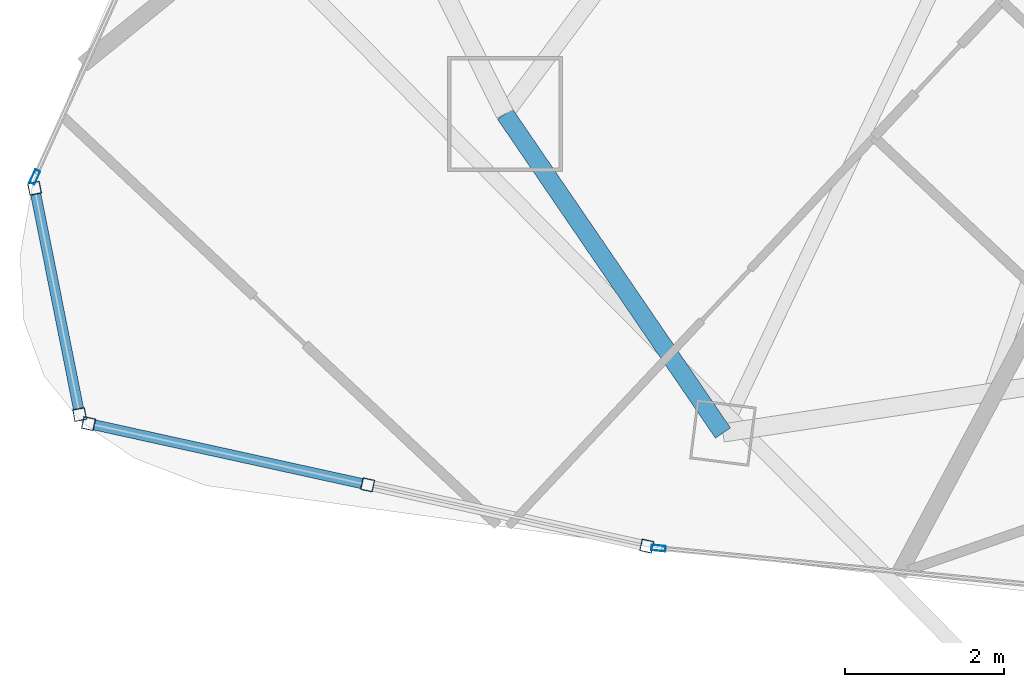
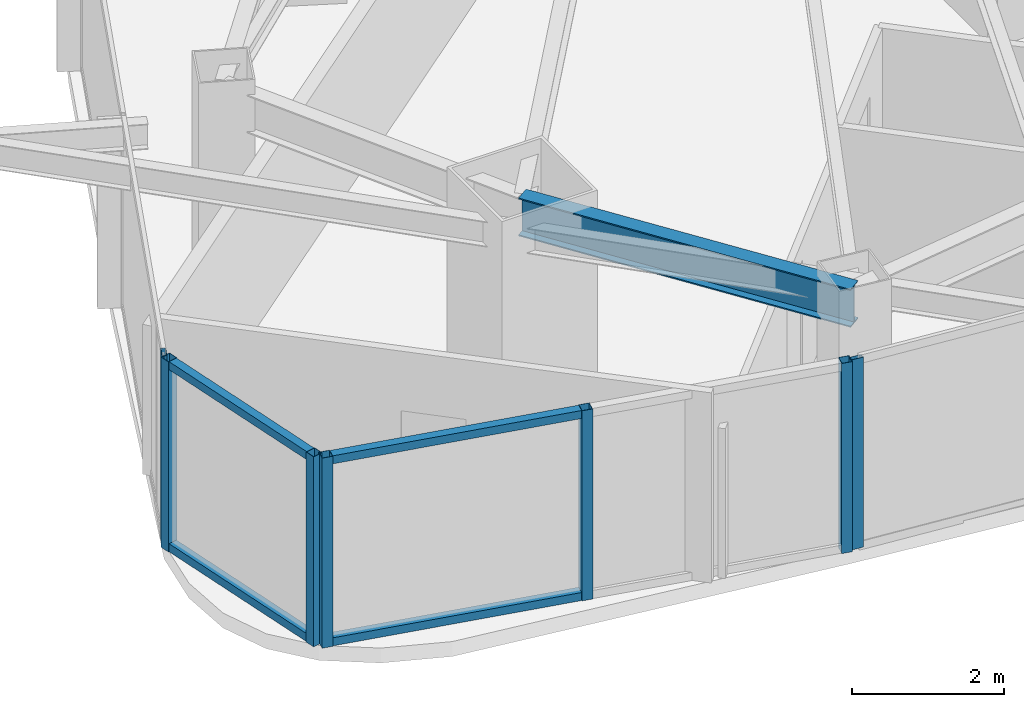
# One storey, part 2 of 29: 11 members, 1 beam, 4 elements without a shape of their own.
"""IFC4 building model written with IfcOpenShell, lengths in metres."""

from ifc_helpers import new_model, si_unit, direction, frame, origin, origin_2d, place, context, subcontext, project, spatial, hollow_rectangle, i_section, extrude, material, layer, layer_set, material_profile, profile_set, type_object, element, aggregate, save


model = new_model("IFC4")

# Units and contexts
model_context = context("Model", 3, precision=1e-05, world=origin(), true_north=direction((0.0, 1.0)))
body_context = subcontext(model_context, "Body", "Model", "MODEL_VIEW")
ifc_project = project(units=[si_unit("LENGTHUNIT", "METRE"), si_unit("AREAUNIT", "SQUARE_METRE"), si_unit("VOLUMEUNIT", "CUBIC_METRE"), si_unit("PLANEANGLEUNIT", "RADIAN"), si_unit("MASSUNIT", "GRAM", prefix="KILO")], contexts=[model_context])

# Site, building, storey
site_placement = place(None, origin())
site = spatial("IfcSite", under=ifc_project, at=site_placement, CompositionType="ELEMENT")
building_placement = place(site_placement, origin())
building = spatial("IfcBuilding", under=site, at=building_placement, Name="Orvanel Arch Residences", CompositionType="ELEMENT")
storey_placement = place(building_placement, frame((0.0, 0.0, 160.550048828125)))
storey = spatial("IfcBuildingStorey", under=building, at=storey_placement, Name="L45", CompositionType="ELEMENT", Elevation=160.550048828125)

# Curtain wall, members
ifc_material_1 = material(Name="Bronze-anodised aluminium AA6063-T6", Category="aluminium")
ifc_layer_1 = layer(ifc_material_1, 0.18994140625)
ifc_layer_set_1 = layer_set([ifc_layer_1], Name="Bronze-anodised aluminium AA6063-T6")
curtain_wall_type_1 = type_object("IfcCurtainWallType", Name="CW5-CRN-SYS", PredefinedType="NOTDEFINED", material=ifc_layer_set_1)
curtain_wall_1_placement = place(storey_placement, origin())
curtain_wall_1 = element("IfcCurtainWall", 1, at=curtain_wall_1_placement, inside=storey, type_object=curtain_wall_type_1, Name="L45 CW5-CRN-SYS Unitised Curtain Wall", PredefinedType="NOTDEFINED")
ifc_material_profile_1 = material_profile(ifc_material_1, hollow_rectangle(XDim=0.14990234375, YDim=0.14990234375, WallThickness=0.0048828125, at=origin_2d()), Name="ALU150x150x5")
ifc_profile_set_1 = profile_set([ifc_material_profile_1], Name="Bronze-anodised aluminium AA6063-T6")
member_type_1 = type_object("IfcMemberType", Name="MUL-150x150", PredefinedType="MULLION", material=ifc_profile_set_1)
member_1_placement = place(storey_placement, frame((8.28271484375, 9.41650390625, 0.0), z_axis=(0.0, 0.0, 1.0), x_axis=(0.980744173157, 0.195296868429, 0.0)))
member_1 = element("IfcMember", 2, at=member_1_placement, type_object=member_type_1, Name="CW-S5 mullion 1", PredefinedType="MULLION", context=body_context, shape_type="SweptSolid", body=[
    extrude(hollow_rectangle(XDim=0.14990234375, YDim=0.14990234375, WallThickness=0.0048828125, at=origin_2d()), origin(), (0.0, 0.0, 1.0), 3.06005859375),
])
member_2_placement = place(storey_placement, frame((8.849365234375, 6.570556640625, 0.0), z_axis=(0.0, 0.0, 1.0), x_axis=(0.980744173157, 0.195296868429, 0.0)))
member_2 = element("IfcMember", 3, at=member_2_placement, type_object=member_type_1, Name="CW-S5 mullion 2", PredefinedType="MULLION", context=body_context, shape_type="SweptSolid", body=[
    extrude(hollow_rectangle(XDim=0.14990234375, YDim=0.14990234375, WallThickness=0.0048828125, at=origin_2d()), origin(), (0.0, 0.0, 1.0), 3.06005859375),
])

curtain_wall_2_placement = place(storey_placement, origin())
curtain_wall_2 = element("IfcCurtainWall", 4, at=curtain_wall_2_placement, inside=storey, type_object=curtain_wall_type_1, Name="L45 CW5-CRN-SYS Unitised Curtain Wall", PredefinedType="NOTDEFINED")
member_3_placement = place(storey_placement, frame((8.961181640625, 6.45703125, 0.0), z_axis=(0.0, 0.0, 1.0), x_axis=(0.214347049523, 0.976757565807, 0.0)))
member_3 = element("IfcMember", 5, at=member_3_placement, type_object=member_type_1, Name="CW-S5 mullion 1", PredefinedType="MULLION", context=body_context, shape_type="SweptSolid", body=[
    extrude(hollow_rectangle(XDim=0.14990234375, YDim=0.14990234375, WallThickness=0.0048828125, at=origin_2d()), origin(), (0.0, 0.0, 1.0), 3.06005859375),
])
member_4_placement = place(storey_placement, frame((12.471923828125, 5.6865234375, 0.0), z_axis=(0.0, 0.0, 1.0), x_axis=(0.214347049523, 0.976757565807, 0.0)))
member_4 = element("IfcMember", 6, at=member_4_placement, type_object=member_type_1, Name="CW-S5 mullion 2", PredefinedType="MULLION", context=body_context, shape_type="SweptSolid", body=[
    extrude(hollow_rectangle(XDim=0.14990234375, YDim=0.14990234375, WallThickness=0.0048828125, at=origin_2d()), origin(), (0.0, 0.0, 1.0), 3.06005859375),
])
member_5_placement = place(storey_placement, frame((15.982666015625, 4.916015625, 0.0), z_axis=(0.0, 0.0, 1.0), x_axis=(0.214347049523, 0.976757565807, 0.0)))
member_5 = element("IfcMember", 7, at=member_5_placement, type_object=member_type_1, Name="CW-S5 mullion 3", PredefinedType="MULLION", context=body_context, shape_type="SweptSolid", body=[
    extrude(hollow_rectangle(XDim=0.14990234375, YDim=0.14990234375, WallThickness=0.0048828125, at=origin_2d()), origin(), (0.0, 0.0, 1.0), 3.06005859375),
])

# Curtain wall, member
ifc_layer_2 = layer(ifc_material_1, 0.179931640625)
ifc_layer_set_2 = layer_set([ifc_layer_2], Name="Bronze-anodised aluminium AA6063-T6")
curtain_wall_type_2 = type_object("IfcCurtainWallType", Name="CW3-MID-SYS", PredefinedType="NOTDEFINED", material=ifc_layer_set_2)
curtain_wall_3_placement = place(storey_placement, origin())
curtain_wall_3 = element("IfcCurtainWall", 8, at=curtain_wall_3_placement, inside=storey, type_object=curtain_wall_type_2, Name="L45 CW3-MID-SYS Unitised Curtain Wall", PredefinedType="NOTDEFINED")
ifc_material_profile_2 = material_profile(ifc_material_1, hollow_rectangle(XDim=0.070068359375, YDim=0.179931640625, WallThickness=0.00439453125, at=origin_2d()), Name="ALU180x70x4.5")
ifc_profile_set_2 = profile_set([ifc_material_profile_2], Name="Bronze-anodised aluminium AA6063-T6")
member_type_2 = type_object("IfcMemberType", Name="MUL-180x70", PredefinedType="MULLION", material=ifc_profile_set_2)
member_6_placement = place(storey_placement, frame((8.286376953125, 9.559814453125, 0.0), z_axis=(0.0, 0.0, 1.0), x_axis=(0.910745569556, -0.412967925551, 0.0)))
member_6 = element("IfcMember", 9, at=member_6_placement, type_object=member_type_2, Name="CW-S3 mullion 4", PredefinedType="MULLION", context=body_context, shape_type="SweptSolid", body=[
    extrude(hollow_rectangle(XDim=0.070068359375, YDim=0.179931640625, WallThickness=0.00439453125, at=origin_2d()), origin(), (0.0, 0.0, 1.0), 3.06005859375),
])
aggregate(curtain_wall_3, [member_6])

curtain_wall_4_placement = place(storey_placement, origin())
curtain_wall_4 = element("IfcCurtainWall", 10, at=curtain_wall_4_placement, inside=storey, type_object=curtain_wall_type_2, Name="L45 CW3-MID-SYS Unitised Curtain Wall", PredefinedType="NOTDEFINED")
member_7_placement = place(storey_placement, frame((16.130859375, 4.890625, 0.0), z_axis=(0.0, 0.0, 1.0), x_axis=(0.097286031613, 0.995256463457, 0.0)))
member_7 = element("IfcMember", 11, at=member_7_placement, type_object=member_type_2, Name="CW-S3 mullion 1", PredefinedType="MULLION", context=body_context, shape_type="SweptSolid", body=[
    extrude(hollow_rectangle(XDim=0.070068359375, YDim=0.179931640625, WallThickness=0.00439453125, at=origin_2d()), origin(), (0.0, 0.0, 1.0), 3.06005859375),
])
aggregate(curtain_wall_4, [member_7])

# Beam
ifc_material_2 = material(Name="Structural steel AS/NZS 3679.1 Grade 300 (300 MPa)", Category="steel")
ifc_material_profile_3 = material_profile(ifc_material_2, i_section(OverallWidth=0.22900390625, OverallDepth=0.612060546875, WebThickness=0.011962890625, FlangeThickness=0.01953125, at=origin_2d()), Name="610UB125")
ifc_profile_set_3 = profile_set([ifc_material_profile_3], Name="Structural steel AS/NZS 3679.1 Grade 300 (300 MPa)")
beam_type = type_object("IfcBeamType", Name="SP-610UB", PredefinedType="SPANDREL", material=ifc_profile_set_3)
beam_placement = place(storey_placement, frame((14.198974609375, 10.35107421875, 2.75390625), z_axis=(0.564251579852, -0.825602903722, 0.0), x_axis=(0.825602903722, 0.564251579852, 0.0)))
element("IfcBeam", 12, at=beam_placement, inside=storey, type_object=beam_type, Name="L45 Perimeter Spandrel Beam 03", PredefinedType="SPANDREL", context=body_context, shape_type="SweptSolid", body=[
    extrude(i_section(OverallWidth=0.22900390625, OverallDepth=0.612060546875, WebThickness=0.011962890625, FlangeThickness=0.01953125, at=origin_2d()), origin(), (0.0, 0.0, 1.0), 4.859375),
])

# Member
ifc_material_profile_4 = material_profile(ifc_material_1, hollow_rectangle(XDim=0.1298828125, YDim=0.1298828125, WallThickness=0.00439453125, at=origin_2d()), Name="ALU130x130x4.5")
ifc_profile_set_4 = profile_set([ifc_material_profile_4], Name="Bronze-anodised aluminium AA6063-T6")
member_type_3 = type_object("IfcMemberType", Name="TRN-130x130", PredefinedType="USERDEFINED", material=ifc_profile_set_4)
member_8_placement = place(storey_placement, frame((8.29736328125, 9.3427734375, 0.06494140625), z_axis=(0.19528001723, -0.980747528608, 0.0), x_axis=(0.980747528608, 0.19528001723, 0.0)))
member_8 = element("IfcMember", 13, at=member_8_placement, type_object=member_type_3, Name="CW-S5 transom 1.1", ObjectType="TRANSOM", PredefinedType="USERDEFINED", context=body_context, shape_type="SweptSolid", body=[
    extrude(hollow_rectangle(XDim=0.1298828125, YDim=0.1298828125, WallThickness=0.00439453125, at=origin_2d()), origin(), (0.0, 0.0, 1.0), 2.751708984375),
])

member_9_placement = place(storey_placement, frame((8.29736328125, 9.3427734375, 2.994873046875), z_axis=(0.19528001723, -0.980747528608, 0.0), x_axis=(0.980747528608, 0.19528001723, 0.0)))
member_9 = element("IfcMember", 14, at=member_9_placement, type_object=member_type_3, Name="CW-S5 transom 1.2", ObjectType="TRANSOM", PredefinedType="USERDEFINED", context=body_context, shape_type="SweptSolid", body=[
    extrude(hollow_rectangle(XDim=0.1298828125, YDim=0.1298828125, WallThickness=0.00439453125, at=origin_2d()), origin(), (0.0, 0.0, 1.0), 2.751708984375),
])

aggregate(curtain_wall_1, [member_1, member_2, member_8, member_9])

member_10_placement = place(storey_placement, frame((9.034423828125, 6.44091796875, 0.06494140625), z_axis=(0.976757375333, -0.21434791749, 0.0), x_axis=(0.21434791749, 0.976757375333, 0.0)))
member_10 = element("IfcMember", 15, at=member_10_placement, type_object=member_type_3, Name="CW-S5 transom 1.1", ObjectType="TRANSOM", PredefinedType="USERDEFINED", context=body_context, shape_type="SweptSolid", body=[
    extrude(hollow_rectangle(XDim=0.1298828125, YDim=0.1298828125, WallThickness=0.00439453125, at=origin_2d()), origin(), (0.0, 0.0, 1.0), 3.4443359375),
])

member_11_placement = place(storey_placement, frame((9.034423828125, 6.44091796875, 2.994873046875), z_axis=(0.976757375333, -0.21434791749, 0.0), x_axis=(0.21434791749, 0.976757375333, 0.0)))
member_11 = element("IfcMember", 16, at=member_11_placement, type_object=member_type_3, Name="CW-S5 transom 1.2", ObjectType="TRANSOM", PredefinedType="USERDEFINED", context=body_context, shape_type="SweptSolid", body=[
    extrude(hollow_rectangle(XDim=0.1298828125, YDim=0.1298828125, WallThickness=0.00439453125, at=origin_2d()), origin(), (0.0, 0.0, 1.0), 3.4443359375),
])

aggregate(curtain_wall_2, [member_3, member_4, member_5, member_10, member_11])

save(model, "model.ifc")
